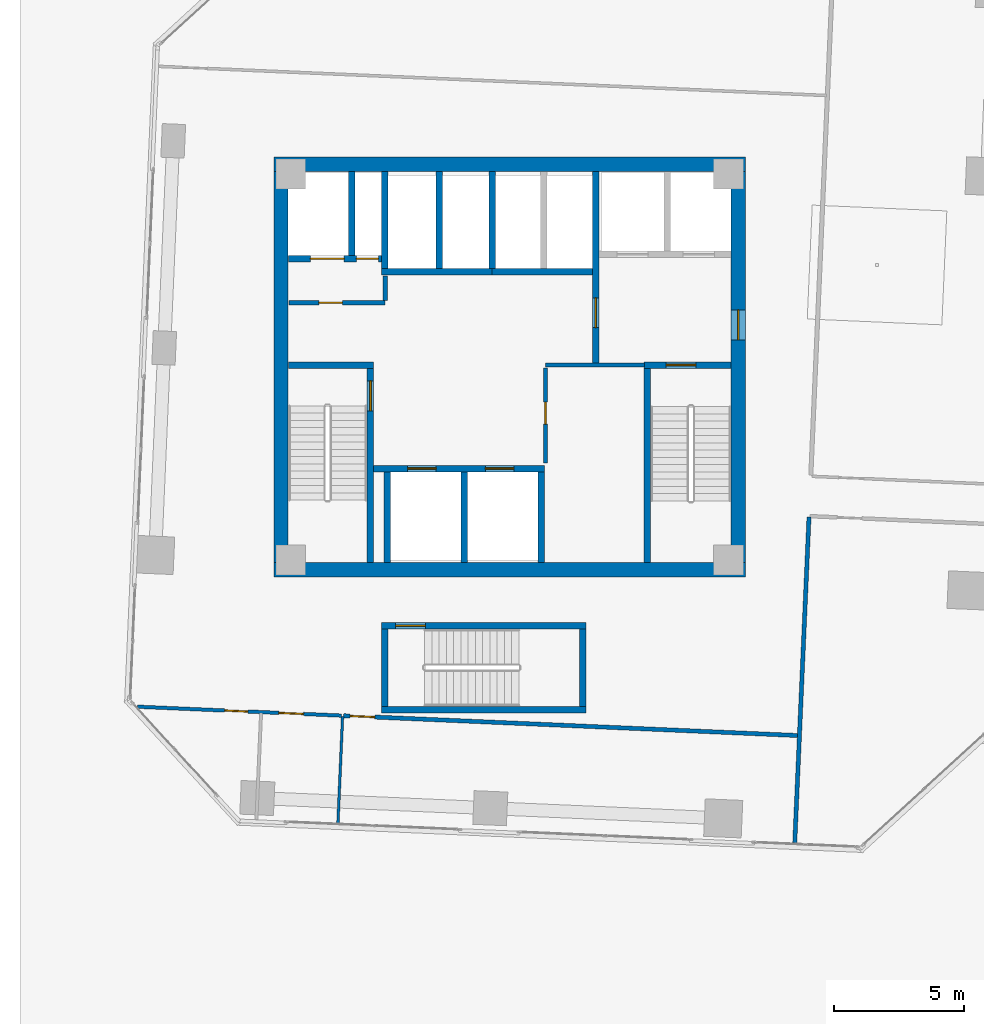
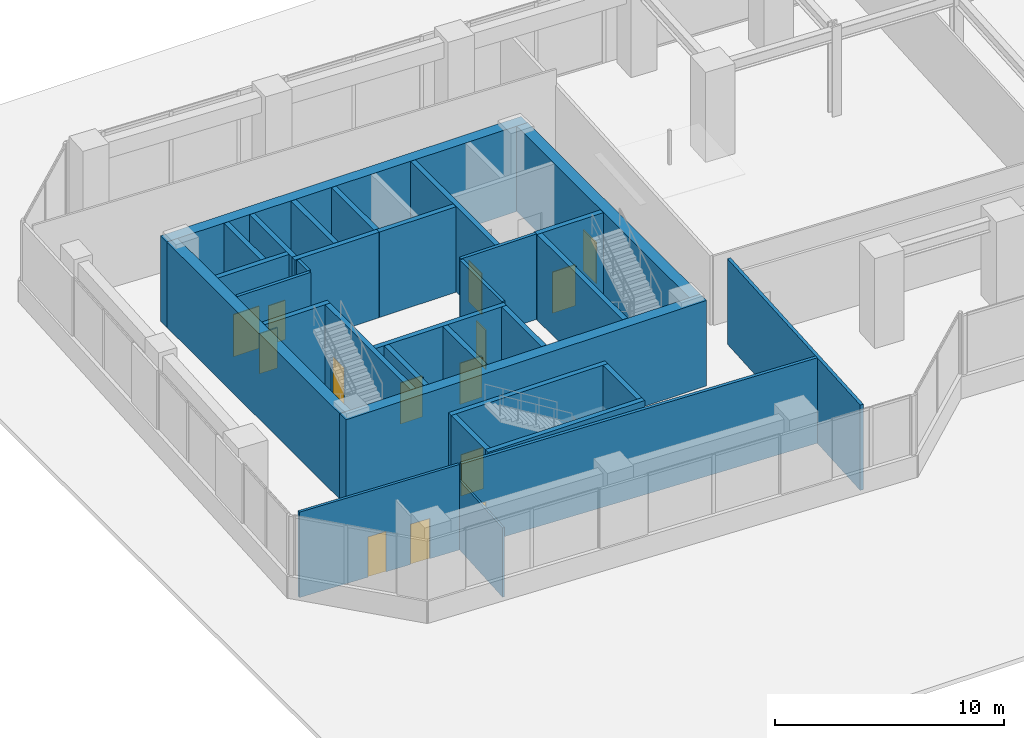
# One storey, part 27 of 33: 32 walls, 14 doors, 14 openings.
"""IFC4 building model written with IfcOpenShell, lengths in metres."""

from ifc_helpers import new_model, si_unit, direction, frame, frame_2d, origin, place, context, subcontext, project, spatial, rectangle, extrude, source, transform, mapped, material, layer, layer_set, type_object, element, fill, save


model = new_model("IFC4")

# Units and contexts
model_context = context("Model", 3, precision=1e-05, world=origin(), true_north=direction((0.0, 1.0)))
body_context = subcontext(model_context, "Body", "Model", "MODEL_VIEW")
ifc_project = project(units=[si_unit("LENGTHUNIT", "METRE"), si_unit("AREAUNIT", "SQUARE_METRE"), si_unit("VOLUMEUNIT", "CUBIC_METRE"), si_unit("PLANEANGLEUNIT", "RADIAN"), si_unit("MASSUNIT", "GRAM", prefix="KILO")], contexts=[model_context])

# Site, building, storey
site_placement = place(None, origin())
site = spatial("IfcSite", under=ifc_project, at=site_placement, CompositionType="ELEMENT")
building_placement = place(site_placement, origin())
building = spatial("IfcBuilding", under=site, at=building_placement, Name="Torre Montelarca", CompositionType="ELEMENT")
storey_placement = place(building_placement, frame((0.0, 0.0, 32.800048828125)))
storey = spatial("IfcBuildingStorey", under=building, at=storey_placement, Name="L07", CompositionType="ELEMENT", Elevation=32.800048828125)

# Wall, opening, door
ifc_material_1 = material(Name="Concrete C40/50", Category="concrete")
ifc_layer_1 = layer(ifc_material_1, 0.25, Name="Concrete C40/50", Category="concrete")
ifc_layer_set_1 = layer_set([ifc_layer_1], Name="Concrete C40/50")
wall_type_1 = type_object("IfcWallType", Name="CW-SHAFT-250", PredefinedType="SHEAR", material=ifc_layer_set_1)
wall_1_placement = place(storey_placement, frame((12.625, 24.4599609375, 0.0), z_axis=(0.0, 0.0, 1.0), x_axis=(0.0, 1.0, 0.0)))
wall_1 = element("IfcWall", 1, at=wall_1_placement, inside=storey, type_object=wall_type_1, Name="L07 Core Shear Wall SH-ST1-E", PredefinedType="SHEAR", context=body_context, shape_type="SweptSolid", body=[
    extrude(rectangle(XDim=7.489990234375, YDim=0.25, at=frame_2d((3.7451171875, 0.0))), origin(), (0.0, 0.0, 1.0), 4.56005859375),
])
opening_1_placement = place(wall_1_placement, frame((5.85009765625, 0.0, 0.0)))
opening_1 = element("IfcOpeningElement", 2, at=opening_1_placement, cuts=wall_1, Name="Opening FD-ST1", PredefinedType="OPENING", context=body_context, shape_type="SweptSolid", body=[
    extrude(rectangle(XDim=1.14990234375, YDim=2.199951171875, at=frame_2d((0.574951171875, 1.10009765625))), frame((0.0, 0.135009765625, 0.0), z_axis=(0.0, -1.0, 0.0), x_axis=(1.0, 0.0, 0.0)), (0.0, 0.0, 1.0), 0.27001953125),
])
ifc_material_2 = material(Name="Galvanized steel fire door", Category="steel")
door_type_1 = type_object("IfcDoorType", Name="DR-STAIR-115", OperationType="NOTDEFINED", PredefinedType="DOOR", material=ifc_material_2)
shared_shape_1 = source(origin(), body_context, "Body", "SweptSolid", [
    extrude(rectangle(XDim=1.14990234375, YDim=2.199951171875, at=frame_2d((0.574951171875, 1.10009765625))), frame((0.0, 0.02490234375, 0.0), z_axis=(0.0, -1.0, 0.0), x_axis=(1.0, 0.0, 0.0)), (0.0, 0.0, 1.0), 0.050048828125),
])
door_1_placement = place(opening_1_placement, origin())
door_1 = element("IfcDoor", 3, at=door_1_placement, inside=storey, type_object=door_type_1, Name="L07 Exit Stair ST1 Fire Door", OperationType="SINGLE_SWING_RIGHT", OverallHeight=2.199951171875, OverallWidth=1.14990234375, PredefinedType="DOOR", context=body_context, shape_type="MappedRepresentation", body=[
    mapped(shared_shape_1, transform((0.0, 0.0, 0.0), scale=1.0)),
])
fill(opening_1, door_1)

# Walls
wall_2_placement = place(storey_placement, frame((9.4599609375, 32.074951171875, 0.0), z_axis=(0.0, 0.0, 1.0), x_axis=(1.0, 0.0, 0.0)))
element("IfcWall", 4, at=wall_2_placement, inside=storey, type_object=wall_type_1, Name="L07 Core Shear Wall SH-ST1-N", PredefinedType="SHEAR", context=body_context, shape_type="SweptSolid", body=[
    extrude(rectangle(XDim=3.2900390625, YDim=0.25, at=frame_2d((1.64501953125, 0.0))), origin(), (0.0, 0.0, 1.0), 4.56005859375),
])
wall_3_placement = place(storey_placement, frame((23.31494140625, 24.4599609375, 0.0), z_axis=(0.0, 0.0, 1.0), x_axis=(0.0, 1.0, 0.0)))
element("IfcWall", 5, at=wall_3_placement, inside=storey, type_object=wall_type_1, Name="L07 Core Shear Wall SH-ST2-W", PredefinedType="SHEAR", context=body_context, shape_type="SweptSolid", body=[
    extrude(rectangle(XDim=7.489990234375, YDim=0.25, at=frame_2d((3.7451171875, 0.0))), origin(), (0.0, 0.0, 1.0), 4.56005859375),
])

# Wall, opening, door
wall_4_placement = place(storey_placement, frame((23.18994140625, 32.074951171875, 0.0), z_axis=(0.0, 0.0, 1.0), x_axis=(1.0, 0.0, 0.0)))
wall_4 = element("IfcWall", 6, at=wall_4_placement, inside=storey, type_object=wall_type_1, Name="L07 Core Shear Wall SH-ST2-N", PredefinedType="SHEAR", context=body_context, shape_type="SweptSolid", body=[
    extrude(rectangle(XDim=3.35009765625, YDim=0.25, at=frame_2d((1.675048828125, 0.0))), origin(), (0.0, 0.0, 1.0), 4.56005859375),
])
opening_2_placement = place(wall_4_placement, frame((0.85009765625, 0.0, 0.0)))
opening_2 = element("IfcOpeningElement", 7, at=opening_2_placement, cuts=wall_4, Name="Opening FD-ST1", PredefinedType="OPENING", context=body_context, shape_type="SweptSolid", body=[
    extrude(rectangle(XDim=1.14990234375, YDim=2.199951171875, at=frame_2d((0.574951171875, 1.10009765625))), frame((0.0, 0.135009765625, 0.0), z_axis=(0.0, -1.0, 0.0), x_axis=(1.0, 0.0, 0.0)), (0.0, 0.0, 1.0), 0.27001953125),
])
door_2_placement = place(opening_2_placement, origin())
door_2 = element("IfcDoor", 8, at=door_2_placement, inside=storey, type_object=door_type_1, Name="L07 Exit Stair ST2 Fire Door", OperationType="SINGLE_SWING_RIGHT", OverallHeight=2.199951171875, OverallWidth=1.14990234375, PredefinedType="DOOR", context=body_context, shape_type="MappedRepresentation", body=[
    mapped(shared_shape_1, transform((0.0, 0.0, 0.0), scale=1.0)),
])
fill(opening_2, door_2)

wall_5_placement = place(storey_placement, frame((21.320068359375, 32.1201171875, 0.0), z_axis=(0.0, 0.0, 1.0), x_axis=(0.0, 1.0, 0.0)))
wall_5 = element("IfcWall", 9, at=wall_5_placement, inside=storey, type_object=wall_type_1, Name="L07 Core Shear Wall SH-FFL-W", PredefinedType="SHEAR", context=body_context, shape_type="SweptSolid", body=[
    extrude(rectangle(XDim=7.419921875, YDim=0.25, at=frame_2d((3.7099609375, 0.0))), origin(), (0.0, 0.0, 1.0), 4.56005859375),
])
opening_3_placement = place(wall_5_placement, frame((1.39990234375, 0.0, 0.0)))
opening_3 = element("IfcOpeningElement", 10, at=opening_3_placement, cuts=wall_5, Name="Opening FD-LB1", PredefinedType="OPENING", context=body_context, shape_type="SweptSolid", body=[
    extrude(rectangle(XDim=1.14990234375, YDim=2.199951171875, at=frame_2d((0.574951171875, 1.10009765625))), frame((0.0, 0.135009765625, 0.0), z_axis=(0.0, -1.0, 0.0), x_axis=(1.0, 0.0, 0.0)), (0.0, 0.0, 1.0), 0.27001953125),
])
ifc_material_3 = material(Name="Acoustic timber-veneered fire door", Category="wood")
door_type_2 = type_object("IfcDoorType", Name="DR-LOBBY-115", OperationType="NOTDEFINED", PredefinedType="DOOR", material=ifc_material_3)
shared_shape_2 = source(origin(), body_context, "Body", "SweptSolid", [
    extrude(rectangle(XDim=1.14990234375, YDim=2.199951171875, at=frame_2d((0.574951171875, 1.10009765625))), frame((0.0, 0.02490234375, 0.0), z_axis=(0.0, -1.0, 0.0), x_axis=(1.0, 0.0, 0.0)), (0.0, 0.0, 1.0), 0.050048828125),
])
door_3_placement = place(opening_3_placement, origin())
door_3 = element("IfcDoor", 11, at=door_3_placement, inside=storey, type_object=door_type_2, Name="L07 Lift Lobby to Firefighting Lobby Smoke Door", OperationType="SINGLE_SWING_LEFT", OverallHeight=2.199951171875, OverallWidth=1.14990234375, PredefinedType="DOOR", context=body_context, shape_type="MappedRepresentation", body=[
    mapped(shared_shape_2, transform((0.0, 0.0, 0.0), scale=1.0)),
])
fill(opening_3, door_3)

# Wall, openings, doors
wall_6_placement = place(storey_placement, frame((9.4599609375, 36.179931640625, 0.0), z_axis=(0.0, 0.0, 1.0), x_axis=(1.0, 0.0, 0.0)))
wall_6 = element("IfcWall", 12, at=wall_6_placement, inside=storey, type_object=wall_type_1, Name="L07 Core Shear Wall SH-SV1-S", PredefinedType="SHEAR", context=body_context, shape_type="SweptSolid", body=[
    extrude(rectangle(XDim=3.7900390625, YDim=0.25, at=frame_2d((1.89501953125, 0.0))), origin(), (0.0, 0.0, 1.0), 4.56005859375),
])
opening_4_placement = place(wall_6_placement, frame((2.6201171875, 0.0, 0.0)))
opening_4 = element("IfcOpeningElement", 13, at=opening_4_placement, cuts=wall_6, Name="Opening FD-085", PredefinedType="OPENING", context=body_context, shape_type="SweptSolid", body=[
    extrude(rectangle(XDim=0.85009765625, YDim=2.10009765625, at=frame_2d((0.425048828125, 1.050048828125))), frame((0.0, 0.135009765625, 0.0), z_axis=(0.0, -1.0, 0.0), x_axis=(1.0, 0.0, 0.0)), (0.0, 0.0, 1.0), 0.27001953125),
])
opening_5_placement = place(wall_6_placement, frame((0.85009765625, 0.0, 0.0)))
opening_5 = element("IfcOpeningElement", 14, at=opening_5_placement, cuts=wall_6, Name="Opening LD-130", PredefinedType="OPENING", context=body_context, shape_type="SweptSolid", body=[
    extrude(rectangle(XDim=1.300048828125, YDim=2.25, at=frame_2d((0.64990234375, 1.125))), frame((0.0, 0.135009765625, 0.0), z_axis=(0.0, -1.0, 0.0), x_axis=(1.0, 0.0, 0.0)), (0.0, 0.0, 1.0), 0.27001953125),
])
ifc_material_4 = material(Name="Steel riser access fire door", Category="steel")
door_type_3 = type_object("IfcDoorType", Name="DR-RISER-085", OperationType="NOTDEFINED", PredefinedType="DOOR", material=ifc_material_4)
shared_shape_3 = source(origin(), body_context, "Body", "SweptSolid", [
    extrude(rectangle(XDim=0.85009765625, YDim=2.10009765625, at=frame_2d((0.425048828125, 1.050048828125))), frame((0.0, 0.02490234375, 0.0), z_axis=(0.0, -1.0, 0.0), x_axis=(1.0, 0.0, 0.0)), (0.0, 0.0, 1.0), 0.050048828125),
])
door_4_placement = place(opening_4_placement, origin())
door_4 = element("IfcDoor", 15, at=door_4_placement, inside=storey, type_object=door_type_3, Name="L07 Electrical Riser Shaft Access Door", OperationType="SINGLE_SWING_RIGHT", OverallHeight=2.10009765625, OverallWidth=0.85009765625, PredefinedType="DOOR", context=body_context, shape_type="MappedRepresentation", body=[
    mapped(shared_shape_3, transform((0.0, 0.0, 0.0), scale=1.0)),
])
fill(opening_4, door_4)
ifc_material_5 = material(Name="Brushed stainless steel AISI 316", Category="steel")
door_type_4 = type_object("IfcDoorType", Name="DR-LIFT-130", OperationType="SLIDING_TO_LEFT", PredefinedType="DOOR", material=ifc_material_5)
shared_shape_4 = source(origin(), body_context, "Body", "SweptSolid", [
    extrude(rectangle(XDim=1.300048828125, YDim=2.25, at=frame_2d((0.64990234375, 1.125))), frame((0.0, 0.02490234375, 0.0), z_axis=(0.0, -1.0, 0.0), x_axis=(1.0, 0.0, 0.0)), (0.0, 0.0, 1.0), 0.050048828125),
])
door_5_placement = place(opening_5_placement, origin())
door_5 = element("IfcDoor", 16, at=door_5_placement, inside=storey, type_object=door_type_4, Name="L07 Lift Landing Sliding Door SV-1", OperationType="SLIDING_TO_LEFT", OverallHeight=2.25, OverallWidth=1.300048828125, PredefinedType="DOOR", context=body_context, shape_type="MappedRepresentation", body=[
    mapped(shared_shape_4, transform((0.0, 0.0, 0.0), scale=1.0)),
])
fill(opening_5, door_5)

# Wall
wall_7_placement = place(storey_placement, frame((11.89990234375, 36.31005859375, 0.0), z_axis=(0.0, 0.0, 1.0), x_axis=(0.0, 1.0, 0.0)))
element("IfcWall", 17, at=wall_7_placement, inside=storey, type_object=wall_type_1, Name="L07 Core Shear Wall SH-SV1-E", PredefinedType="SHEAR", context=body_context, shape_type="SweptSolid", body=[
    extrude(rectangle(XDim=3.22998046875, YDim=0.25, at=frame_2d((1.614990234375, 0.0))), origin(), (0.0, 0.0, 1.0), 4.56005859375),
])

# Wall, openings, doors
wall_8_placement = place(storey_placement, frame((12.6298828125, 28.080078125, 0.0), z_axis=(0.0, 0.0, 1.0), x_axis=(1.0, 0.0, 0.0)))
wall_8 = element("IfcWall", 18, at=wall_8_placement, inside=storey, type_object=wall_type_1, Name="L07 Core Shear Wall SH-PLL-N", PredefinedType="SHEAR", context=body_context, shape_type="SweptSolid", body=[
    extrude(rectangle(XDim=6.710205078125, YDim=0.25, at=frame_2d((3.35498046875, 0.0))), origin(), (0.0, 0.0, 1.0), 4.56005859375),
])
opening_6_placement = place(wall_8_placement, frame((1.429931640625, 0.0, 0.0)))
opening_6 = element("IfcOpeningElement", 19, at=opening_6_placement, cuts=wall_8, Name="Opening LD-110", PredefinedType="OPENING", context=body_context, shape_type="SweptSolid", body=[
    extrude(rectangle(XDim=1.10009765625, YDim=2.199951171875, at=frame_2d((0.550048828125, 1.10009765625))), frame((0.0, 0.135009765625, 0.0), z_axis=(0.0, -1.0, 0.0), x_axis=(1.0, 0.0, 0.0)), (0.0, 0.0, 1.0), 0.27001953125),
])
opening_7_placement = place(wall_8_placement, frame((4.429931640625, 0.0, 0.0)))
opening_7 = element("IfcOpeningElement", 20, at=opening_7_placement, cuts=wall_8, Name="Opening LD-110", PredefinedType="OPENING", context=body_context, shape_type="SweptSolid", body=[
    extrude(rectangle(XDim=1.10009765625, YDim=2.199951171875, at=frame_2d((0.550048828125, 1.10009765625))), frame((0.0, 0.135009765625, 0.0), z_axis=(0.0, -1.0, 0.0), x_axis=(1.0, 0.0, 0.0)), (0.0, 0.0, 1.0), 0.27001953125),
])
door_type_5 = type_object("IfcDoorType", Name="DR-LIFT-110", OperationType="SLIDING_TO_LEFT", PredefinedType="DOOR", material=ifc_material_5)
shared_shape_5 = source(origin(), body_context, "Body", "SweptSolid", [
    extrude(rectangle(XDim=1.10009765625, YDim=2.199951171875, at=frame_2d((0.550048828125, 1.10009765625))), frame((0.0, 0.02490234375, 0.0), z_axis=(0.0, -1.0, 0.0), x_axis=(1.0, 0.0, 0.0)), (0.0, 0.0, 1.0), 0.050048828125),
])
door_6_placement = place(opening_6_placement, origin())
door_6 = element("IfcDoor", 21, at=door_6_placement, inside=storey, type_object=door_type_5, Name="L07 Lift Landing Sliding Door PL-L1", OperationType="SLIDING_TO_LEFT", OverallHeight=2.199951171875, OverallWidth=1.10009765625, PredefinedType="DOOR", context=body_context, shape_type="MappedRepresentation", body=[
    mapped(shared_shape_5, transform((0.0, 0.0, 0.0), scale=1.0)),
])
fill(opening_6, door_6)
door_7_placement = place(opening_7_placement, origin())
door_7 = element("IfcDoor", 22, at=door_7_placement, inside=storey, type_object=door_type_5, Name="L07 Lift Landing Sliding Door PL-L2", OperationType="SLIDING_TO_RIGHT", OverallHeight=2.199951171875, OverallWidth=1.10009765625, PredefinedType="DOOR", context=body_context, shape_type="MappedRepresentation", body=[
    mapped(shared_shape_5, transform((0.0, 0.0, 0.0), scale=1.0)),
])
fill(opening_7, door_7)

# Walls
for number, where, z_axis, x_axis, name in (
    (23, (13.280029296875, 24.4599609375, 0.0), (0.0, 0.0, 1.0), (0.0, 1.0, 0.0), "L07 Core Shear Wall SH-PLL-W"),
    (24, (16.25, 24.4599609375, 0.0), (0.0, 0.0, 1.0), (0.0, 1.0, 0.0), "L07 Core Shear Wall SH-PLL-M"),
    (25, (19.219970703125, 24.4599609375, 0.0), (0.0, 0.0, 1.0), (0.0, 1.0, 0.0), "L07 Core Shear Wall SH-PLL-E"),
):
    element("IfcWall", number, at=place(storey_placement, frame(where, z_axis=z_axis, x_axis=x_axis)), inside=storey, type_object=wall_type_1, Name=name, PredefinedType="SHEAR", context=body_context, shape_type="SweptSolid", body=[
        extrude(rectangle(XDim=3.489990234375, YDim=0.25, at=frame_2d((1.7451171875, 0.0))), origin(), (0.0, 0.0, 1.0), 4.56005859375),
    ])
wall_9_placement = place(storey_placement, frame((13.06005859375, 35.679931640625, 0.0), z_axis=(0.0, 0.0, 1.0), x_axis=(1.0, 0.0, 0.0)))
element("IfcWall", 26, at=wall_9_placement, inside=storey, type_object=wall_type_1, Name="L07 Core Shear Wall SH-PLM-S", PredefinedType="SHEAR", context=body_context, shape_type="SweptSolid", body=[
    extrude(rectangle(XDim=4.25, YDim=0.25, at=frame_2d((2.125, 0.0))), origin(), (0.0, 0.0, 1.0), 4.56005859375),
])
for number, where, z_axis, x_axis, name in (
    (27, (13.179931640625, 35.81005859375, 0.0), (0.0, 0.0, 1.0), (0.0, 1.0, 0.0), "L07 Core Shear Wall SH-PLM-W"),
    (28, (15.280029296875, 35.81005859375, 0.0), (0.0, 0.0, 1.0), (0.0, 1.0, 0.0), "L07 Core Shear Wall SH-PLM-M"),
):
    element("IfcWall", number, at=place(storey_placement, frame(where, z_axis=z_axis, x_axis=x_axis)), inside=storey, type_object=wall_type_1, Name=name, PredefinedType="SHEAR", context=body_context, shape_type="SweptSolid", body=[
        extrude(rectangle(XDim=3.72998046875, YDim=0.25, at=frame_2d((1.864990234375, 0.0))), origin(), (0.0, 0.0, 1.0), 4.56005859375),
    ])
wall_10_placement = place(storey_placement, frame((17.320068359375, 35.679931640625, 0.0), z_axis=(0.0, 0.0, 1.0), x_axis=(1.0, 0.0, 0.0)))
element("IfcWall", 29, at=wall_10_placement, inside=storey, type_object=wall_type_1, Name="L07 Core Shear Wall SH-PLH-S", PredefinedType="SHEAR", context=body_context, shape_type="SweptSolid", body=[
    extrude(rectangle(XDim=3.869873046875, YDim=0.25, at=frame_2d((1.93505859375, 0.0))), origin(), (0.0, 0.0, 1.0), 4.56005859375),
])
wall_11_placement = place(storey_placement, frame((17.320068359375, 35.81005859375, 0.0), z_axis=(0.0, 0.0, 1.0), x_axis=(0.0, 1.0, 0.0)))
element("IfcWall", 30, at=wall_11_placement, inside=storey, type_object=wall_type_1, Name="L07 Core Shear Wall SH-PLH-W", PredefinedType="SHEAR", context=body_context, shape_type="SweptSolid", body=[
    extrude(rectangle(XDim=3.72998046875, YDim=0.25, at=frame_2d((1.864990234375, 0.0))), origin(), (0.0, 0.0, 1.0), 4.56005859375),
])
for number, where, z_axis, x_axis, name in (
    (31, (13.175048828125, 18.89990234375, 0.0), (0.0, 0.0, 1.0), (0.0, 1.0, 0.0), "L07 Core Shear Wall SH-ST3-W"),
    (32, (20.824951171875, 18.89990234375, 0.0), (0.0, 0.0, 1.0), (0.0, 1.0, 0.0), "L07 Core Shear Wall SH-ST3-E"),
):
    element("IfcWall", number, at=place(storey_placement, frame(where, z_axis=z_axis, x_axis=x_axis)), inside=storey, type_object=wall_type_1, Name=name, PredefinedType="SHEAR", context=body_context, shape_type="SweptSolid", body=[
        extrude(rectangle(XDim=2.989990234375, YDim=0.25, at=frame_2d((1.4951171875, 0.0))), origin(), (0.0, 0.0, 1.0), 4.56005859375),
    ])
wall_12_placement = place(storey_placement, frame((13.050048828125, 18.77490234375, 0.0), z_axis=(0.0, 0.0, 1.0), x_axis=(1.0, 0.0, 0.0)))
element("IfcWall", 33, at=wall_12_placement, inside=storey, type_object=wall_type_1, Name="L07 Core Shear Wall SH-ST3-S", PredefinedType="SHEAR", context=body_context, shape_type="SweptSolid", body=[
    extrude(rectangle(XDim=7.89990234375, YDim=0.25, at=frame_2d((3.949951171875, 0.0))), origin(), (0.0, 0.0, 1.0), 4.56005859375),
])

# Wall, opening, door
wall_13_placement = place(storey_placement, frame((13.050048828125, 22.014892578125, 0.0), z_axis=(0.0, 0.0, 1.0), x_axis=(1.0, 0.0, 0.0)))
wall_13 = element("IfcWall", 34, at=wall_13_placement, inside=storey, type_object=wall_type_1, Name="L07 Core Shear Wall SH-ST3-N", PredefinedType="SHEAR", context=body_context, shape_type="SweptSolid", body=[
    extrude(rectangle(XDim=7.89990234375, YDim=0.25, at=frame_2d((3.949951171875, 0.0))), origin(), (0.0, 0.0, 1.0), 4.56005859375),
])
opening_8_placement = place(wall_13_placement, frame((0.550048828125, 0.0, 0.0)))
opening_8 = element("IfcOpeningElement", 35, at=opening_8_placement, cuts=wall_13, Name="Opening FD-ST1", PredefinedType="OPENING", context=body_context, shape_type="SweptSolid", body=[
    extrude(rectangle(XDim=1.14990234375, YDim=2.199951171875, at=frame_2d((0.574951171875, 1.10009765625))), frame((0.0, 0.135009765625, 0.0), z_axis=(0.0, -1.0, 0.0), x_axis=(1.0, 0.0, 0.0)), (0.0, 0.0, 1.0), 0.27001953125),
])
door_8_placement = place(opening_8_placement, origin())
door_8 = element("IfcDoor", 36, at=door_8_placement, inside=storey, type_object=door_type_1, Name="L07 Exit Stair ST3 Fire Door", OperationType="SINGLE_SWING_LEFT", OverallHeight=2.199951171875, OverallWidth=1.14990234375, PredefinedType="DOOR", context=body_context, shape_type="MappedRepresentation", body=[
    mapped(shared_shape_1, transform((0.0, 0.0, 0.0), scale=1.0)),
])
fill(opening_8, door_8)

# Wall
ifc_material_6 = material(Name="Concrete C70/85", Category="concrete")
ifc_layer_2 = layer(ifc_material_6, 0.550048828125, Name="Concrete C70/85", Category="concrete")
ifc_layer_set_2 = layer_set([ifc_layer_2], Name="Concrete C70/85")
wall_type_2 = type_object("IfcWallType", Name="CW-SHEAR-550", PredefinedType="SHEAR", material=ifc_layer_set_2)
wall_14_placement = place(storey_placement, frame((9.175048828125, 24.449951171875, 0.0), z_axis=(0.0, 0.0, 1.0), x_axis=(0.0, 1.0, 0.0)))
element("IfcWall", 37, at=wall_14_placement, inside=storey, type_object=wall_type_2, Name="L07 Core Shear Wall CW-W", PredefinedType="SHEAR", context=body_context, shape_type="SweptSolid", body=[
    extrude(rectangle(XDim=15.10009765625, YDim=0.550048828125, at=frame_2d((7.550048828125, 0.0))), origin(), (0.0, 0.0, 1.0), 4.56005859375),
])

# Wall, opening, door
wall_15_placement = place(storey_placement, frame((26.824951171875, 24.449951171875, 0.0), z_axis=(0.0, 0.0, 1.0), x_axis=(0.0, 1.0, 0.0)))
wall_15 = element("IfcWall", 38, at=wall_15_placement, inside=storey, type_object=wall_type_2, Name="L07 Core Shear Wall CW-E", PredefinedType="SHEAR", context=body_context, shape_type="SweptSolid", body=[
    extrude(rectangle(XDim=15.10009765625, YDim=0.550048828125, at=frame_2d((7.550048828125, 0.0))), origin(), (0.0, 0.0, 1.0), 4.56005859375),
])
opening_9_placement = place(wall_15_placement, frame((8.60009765625, 0.0, 0.0)))
opening_9 = element("IfcOpeningElement", 39, at=opening_9_placement, cuts=wall_15, Name="Opening FD-LB1", PredefinedType="OPENING", context=body_context, shape_type="SweptSolid", body=[
    extrude(rectangle(XDim=1.14990234375, YDim=2.199951171875, at=frame_2d((0.574951171875, 1.10009765625))), frame((0.0, 0.28515625, 0.0), z_axis=(0.0, -1.0, 0.0), x_axis=(1.0, 0.0, 0.0)), (0.0, 0.0, 1.0), 0.570068359375),
])
door_9_placement = place(opening_9_placement, origin())
door_9 = element("IfcDoor", 40, at=door_9_placement, inside=storey, type_object=door_type_2, Name="L07 Firefighting Lift Lobby Corridor Fire Door", OperationType="SINGLE_SWING_RIGHT", OverallHeight=2.199951171875, OverallWidth=1.14990234375, PredefinedType="DOOR", context=body_context, shape_type="MappedRepresentation", body=[
    mapped(shared_shape_2, transform((0.0, 0.0, 0.0), scale=1.0)),
])
fill(opening_9, door_9)

# Walls
for number, where, z_axis, x_axis, name in (
    (41, (8.89990234375, 24.175048828125, 0.0), (0.0, 0.0, 1.0), (1.0, 0.0, 0.0), "L07 Core Shear Wall CW-S1"),
    (42, (8.89990234375, 39.824951171875, 0.0), (0.0, 0.0, 1.0), (1.0, 0.0, 0.0), "L07 Core Shear Wall CW-N1"),
):
    element("IfcWall", number, at=place(storey_placement, frame(where, z_axis=z_axis, x_axis=x_axis)), inside=storey, type_object=wall_type_2, Name=name, PredefinedType="SHEAR", context=body_context, shape_type="SweptSolid", body=[
        extrude(rectangle(XDim=18.2001953125, YDim=0.550048828125, at=frame_2d((9.10009765625, 0.0))), origin(), (0.0, 0.0, 1.0), 4.56005859375),
    ])

# Wall, opening, door
ifc_material_7 = material(Name="Gypsum plasterboard on steel stud", Category="steel")
ifc_layer_3 = layer(ifc_material_7, 0.159912109375, Name="Gypsum plasterboard on steel stud", Category="steel")
ifc_layer_set_3 = layer_set([ifc_layer_3], Name="Gypsum plasterboard on steel stud")
wall_type_3 = type_object("IfcWallType", Name="PW-FIRE-160", PredefinedType="PARTITIONING", material=ifc_layer_set_3)
wall_16_placement = place(storey_placement, frame((9.489990234375, 34.47998046875, 0.0), z_axis=(0.0, 0.0, 1.0), x_axis=(1.0, 0.0, 0.0)))
wall_16 = element("IfcWall", 43, at=wall_16_placement, inside=storey, type_object=wall_type_3, Name="L07 Interior Partition CW-L07-SVS", PredefinedType="PARTITIONING", context=body_context, shape_type="SweptSolid", body=[
    extrude(rectangle(XDim=3.699951171875, YDim=0.159912109375, at=frame_2d((1.85009765625, 0.0))), origin(), (0.0, 0.0, 1.0), 4.56005859375),
])
opening_10_placement = place(wall_16_placement, frame((1.14990234375, 0.0, 0.0)))
opening_10 = element("IfcOpeningElement", 44, at=opening_10_placement, cuts=wall_16, Name="Opening FD-090", PredefinedType="OPENING", context=body_context, shape_type="SweptSolid", body=[
    extrude(rectangle(XDim=0.89990234375, YDim=2.14990234375, at=frame_2d((0.449951171875, 1.074951171875))), frame((0.0, 0.08984375, 0.0), z_axis=(0.0, -1.0, 0.0), x_axis=(1.0, 0.0, 0.0)), (0.0, 0.0, 1.0), 0.179931640625),
])
ifc_material_8 = material(Name="Steel service fire door", Category="steel")
door_type_6 = type_object("IfcDoorType", Name="DR-FIRE-090", OperationType="NOTDEFINED", PredefinedType="DOOR", material=ifc_material_8)
shared_shape_6 = source(origin(), body_context, "Body", "SweptSolid", [
    extrude(rectangle(XDim=0.89990234375, YDim=2.14990234375, at=frame_2d((0.449951171875, 1.074951171875))), frame((0.0, 0.02490234375, 0.0), z_axis=(0.0, -1.0, 0.0), x_axis=(1.0, 0.0, 0.0)), (0.0, 0.0, 1.0), 0.050048828125),
])
door_10_placement = place(opening_10_placement, origin())
door_10 = element("IfcDoor", 45, at=door_10_placement, inside=storey, type_object=door_type_6, Name="L07 Interior Door 01", OperationType="SINGLE_SWING_RIGHT", OverallHeight=2.14990234375, OverallWidth=0.89990234375, PredefinedType="DOOR", context=body_context, shape_type="MappedRepresentation", body=[
    mapped(shared_shape_6, transform((0.0, 0.0, 0.0), scale=1.0)),
])
fill(opening_10, door_10)

# Walls
wall_17_placement = place(storey_placement, frame((13.199951171875, 34.570068359375, 0.0), z_axis=(0.0, 0.0, 1.0), x_axis=(0.0, 1.0, 0.0)))
element("IfcWall", 46, at=wall_17_placement, inside=storey, type_object=wall_type_3, Name="L07 Interior Partition CW-L07-SVE", PredefinedType="PARTITIONING", context=body_context, shape_type="SweptSolid", body=[
    extrude(rectangle(XDim=0.93994140625, YDim=0.159912109375, at=frame_2d((0.469970703125, 0.0))), origin(), (0.0, 0.0, 1.0), 4.56005859375),
])
wall_18_placement = place(storey_placement, frame((19.389892578125, 32.080078125, 0.0), z_axis=(0.0, 0.0, 1.0), x_axis=(1.0, 0.0, 0.0)))
element("IfcWall", 47, at=wall_18_placement, inside=storey, type_object=wall_type_3, Name="L07 Interior Partition CW-L07-SEN", PredefinedType="PARTITIONING", context=body_context, shape_type="SweptSolid", body=[
    extrude(rectangle(XDim=3.820068359375, YDim=0.159912109375, at=frame_2d((1.91015625, 0.0))), origin(), (0.0, 0.0, 1.0), 4.56005859375),
])

# Wall, opening, door
wall_19_placement = place(storey_placement, frame((19.3798828125, 28.2900390625, 0.0), z_axis=(0.0, 0.0, 1.0), x_axis=(0.0, 1.0, 0.0)))
wall_19 = element("IfcWall", 48, at=wall_19_placement, inside=storey, type_object=wall_type_3, Name="L07 Interior Partition CW-L07-SEW", PredefinedType="PARTITIONING", context=body_context, shape_type="SweptSolid", body=[
    extrude(rectangle(XDim=3.669921875, YDim=0.159912109375, at=frame_2d((1.8349609375, 0.0))), origin(), (0.0, 0.0, 1.0), 4.56005859375),
])
opening_11_placement = place(wall_19_placement, frame((1.5, 0.0, 0.0)))
opening_11 = element("IfcOpeningElement", 49, at=opening_11_placement, cuts=wall_19, Name="Opening FD-085", PredefinedType="OPENING", context=body_context, shape_type="SweptSolid", body=[
    extrude(rectangle(XDim=0.85009765625, YDim=2.10009765625, at=frame_2d((0.425048828125, 1.050048828125))), frame((0.0, 0.08984375, 0.0), z_axis=(0.0, -1.0, 0.0), x_axis=(1.0, 0.0, 0.0)), (0.0, 0.0, 1.0), 0.179931640625),
])
door_11_placement = place(opening_11_placement, origin())
door_11 = element("IfcDoor", 50, at=door_11_placement, inside=storey, type_object=door_type_3, Name="L07 Interior Door 02", OperationType="SINGLE_SWING_RIGHT", OverallHeight=2.10009765625, OverallWidth=0.85009765625, PredefinedType="DOOR", context=body_context, shape_type="MappedRepresentation", body=[
    mapped(shared_shape_3, transform((0.0, 0.0, 0.0), scale=1.0)),
])
fill(opening_11, door_11)

wall_20_placement = place(storey_placement, frame((11.593505859375, 18.539306640625, 0.0), z_axis=(0.0, 0.0, 1.0), x_axis=(0.999048303008, -0.043617522367, 0.0)))
wall_20 = element("IfcWall", 51, at=wall_20_placement, inside=storey, type_object=wall_type_3, Name="L07 Interior Partition W-L07-SOCCN", PredefinedType="PARTITIONING", context=body_context, shape_type="SweptSolid", body=[
    extrude(rectangle(XDim=17.56982421875, YDim=0.159912109375, at=frame_2d((8.784912109375, 0.0))), origin(), (0.0, 0.0, 1.0), 4.56005859375),
])
opening_12_placement = place(wall_20_placement, frame((0.25, 0.0, 0.0)))
opening_12 = element("IfcOpeningElement", 52, at=opening_12_placement, cuts=wall_20, Name="Opening FD-095", PredefinedType="OPENING", context=body_context, shape_type="SweptSolid", body=[
    extrude(rectangle(XDim=0.949951171875, YDim=2.14990234375, at=frame_2d((0.47509765625, 1.074951171875))), frame((0.0, 0.08984375, 0.0), z_axis=(0.0, -1.0, 0.0), x_axis=(1.0, 0.0, 0.0)), (0.0, 0.0, 1.0), 0.179931640625),
])
ifc_material_9 = material(Name="Timber fire-rated room door", Category="wood")
door_type_7 = type_object("IfcDoorType", Name="DR-FIRE-095", OperationType="NOTDEFINED", PredefinedType="DOOR", material=ifc_material_9)
shared_shape_7 = source(origin(), body_context, "Body", "SweptSolid", [
    extrude(rectangle(XDim=0.949951171875, YDim=2.14990234375, at=frame_2d((0.47509765625, 1.074951171875))), frame((0.0, 0.02490234375, 0.0), z_axis=(0.0, -1.0, 0.0), x_axis=(1.0, 0.0, 0.0)), (0.0, 0.0, 1.0), 0.050048828125),
])
door_12_placement = place(opening_12_placement, origin())
door_12 = element("IfcDoor", 53, at=door_12_placement, inside=storey, type_object=door_type_7, Name="L07 Interior Door 05", OperationType="SINGLE_SWING_RIGHT", OverallHeight=2.14990234375, OverallWidth=0.949951171875, PredefinedType="DOOR", context=body_context, shape_type="MappedRepresentation", body=[
    mapped(shared_shape_7, transform((0.0, 0.0, 0.0), scale=1.0)),
])
fill(opening_12, door_12)

# Walls
wall_21_placement = place(storey_placement, frame((29.006103515625, 13.635009765625, 0.0), z_axis=(0.0, 0.0, 1.0), x_axis=(0.043626715414, 0.999047901605, 0.0)))
element("IfcWall", 54, at=wall_21_placement, inside=storey, type_object=wall_type_3, Name="L07 Interior Partition W-L07-ECS", PredefinedType="PARTITIONING", context=body_context, shape_type="SweptSolid", body=[
    extrude(rectangle(XDim=12.580078125, YDim=0.159912109375, at=frame_2d((6.2900390625, 0.0))), origin(), (0.0, 0.0, 1.0), 4.56005859375),
])
ifc_material_10 = material(Name="Acoustic laminated glass partition", Category="glass")
ifc_layer_4 = layer(ifc_material_10, 0.10009765625, Name="Acoustic laminated glass partition", Category="glass")
ifc_layer_set_4 = layer_set([ifc_layer_4], Name="Acoustic laminated glass partition")
wall_type_4 = type_object("IfcWallType", Name="PW-GLAZ-100", PredefinedType="PARTITIONING", material=ifc_layer_set_4)
wall_22_placement = place(storey_placement, frame((11.372802734375, 14.405029296875, 0.0), z_axis=(0.0, 0.0, 1.0), x_axis=(0.04364652983, 0.999047036147, 0.0)))
element("IfcWall", 55, at=wall_22_placement, inside=storey, type_object=wall_type_4, Name="L07 Interior Partition W-L07-SWCDIV", PredefinedType="PARTITIONING", context=body_context, shape_type="SweptSolid", body=[
    extrude(rectangle(XDim=4.10009765625, YDim=0.10009765625, at=frame_2d((2.050048828125, 0.0))), origin(), (0.0, 0.0, 1.0), 3.695068359375),
])

# Wall, openings, doors
ifc_layer_5 = layer(ifc_material_7, 0.135009765625, Name="Gypsum plasterboard on steel stud", Category="steel")
ifc_layer_set_5 = layer_set([ifc_layer_5], Name="Gypsum plasterboard on steel stud")
wall_type_5 = type_object("IfcWallType", Name="PW-PART-135", PredefinedType="PARTITIONING", material=ifc_layer_set_5)
wall_23_placement = place(storey_placement, frame((3.62890625, 18.88720703125, 0.0), z_axis=(0.0, 0.0, 1.0), x_axis=(0.999046913697, -0.043649332566, 0.0)))
wall_23 = element("IfcWall", 56, at=wall_23_placement, inside=storey, type_object=wall_type_5, Name="L07 Interior Partition W-L07-WCN", PredefinedType="PARTITIONING", context=body_context, shape_type="SweptSolid", body=[
    extrude(rectangle(XDim=7.89208984375, YDim=0.135009765625, at=frame_2d((3.946044921875, 0.0))), origin(), (0.0, 0.0, 1.0), 4.56005859375),
])
opening_13_placement = place(wall_23_placement, frame((3.3701171875, 0.0, 0.0)))
opening_13 = element("IfcOpeningElement", 57, at=opening_13_placement, cuts=wall_23, Name="Opening ID-090", PredefinedType="OPENING", context=body_context, shape_type="SweptSolid", body=[
    extrude(rectangle(XDim=0.89990234375, YDim=2.14990234375, at=frame_2d((0.449951171875, 1.074951171875))), frame((0.0, 0.07763671875, 0.0), z_axis=(0.0, -1.0, 0.0), x_axis=(1.0, 0.0, 0.0)), (0.0, 0.0, 1.0), 0.155029296875),
])
opening_14_placement = place(wall_23_placement, frame((5.469970703125, 0.0, 0.0)))
opening_14 = element("IfcOpeningElement", 58, at=opening_14_placement, cuts=wall_23, Name="Opening ID-095", PredefinedType="OPENING", context=body_context, shape_type="SweptSolid", body=[
    extrude(rectangle(XDim=0.949951171875, YDim=2.14990234375, at=frame_2d((0.47509765625, 1.074951171875))), frame((0.0, 0.07763671875, 0.0), z_axis=(0.0, -1.0, 0.0), x_axis=(1.0, 0.0, 0.0)), (0.0, 0.0, 1.0), 0.155029296875),
])
ifc_material_11 = material(Name="Hardwood acoustic timber veneer", Category="wood")
door_type_8 = type_object("IfcDoorType", Name="DR-INT-090", OperationType="NOTDEFINED", PredefinedType="DOOR", material=ifc_material_11)
shared_shape_8 = source(origin(), body_context, "Body", "SweptSolid", [
    extrude(rectangle(XDim=0.89990234375, YDim=2.14990234375, at=frame_2d((0.449951171875, 1.074951171875))), frame((0.0, 0.02490234375, 0.0), z_axis=(0.0, -1.0, 0.0), x_axis=(1.0, 0.0, 0.0)), (0.0, 0.0, 1.0), 0.050048828125),
])
door_13_placement = place(opening_13_placement, origin())
door_13 = element("IfcDoor", 59, at=door_13_placement, inside=storey, type_object=door_type_8, Name="L07 Interior Door 03", OperationType="SINGLE_SWING_LEFT", OverallHeight=2.14990234375, OverallWidth=0.89990234375, PredefinedType="DOOR", context=body_context, shape_type="MappedRepresentation", body=[
    mapped(shared_shape_8, transform((0.0, 0.0, 0.0), scale=1.0)),
])
fill(opening_13, door_13)
door_type_9 = type_object("IfcDoorType", Name="DR-INT-095", OperationType="NOTDEFINED", PredefinedType="DOOR", material=ifc_material_11)
shared_shape_9 = source(origin(), body_context, "Body", "SweptSolid", [
    extrude(rectangle(XDim=0.949951171875, YDim=2.14990234375, at=frame_2d((0.47509765625, 1.074951171875))), frame((0.0, 0.02490234375, 0.0), z_axis=(0.0, -1.0, 0.0), x_axis=(1.0, 0.0, 0.0)), (0.0, 0.0, 1.0), 0.050048828125),
])
door_14_placement = place(opening_14_placement, origin())
door_14 = element("IfcDoor", 60, at=door_14_placement, inside=storey, type_object=door_type_9, Name="L07 Interior Door 04", OperationType="SINGLE_SWING_RIGHT", OverallHeight=2.14990234375, OverallWidth=0.949951171875, PredefinedType="DOOR", context=body_context, shape_type="MappedRepresentation", body=[
    mapped(shared_shape_9, transform((0.0, 0.0, 0.0), scale=1.0)),
])
fill(opening_14, door_14)

save(model, "model.ifc")
